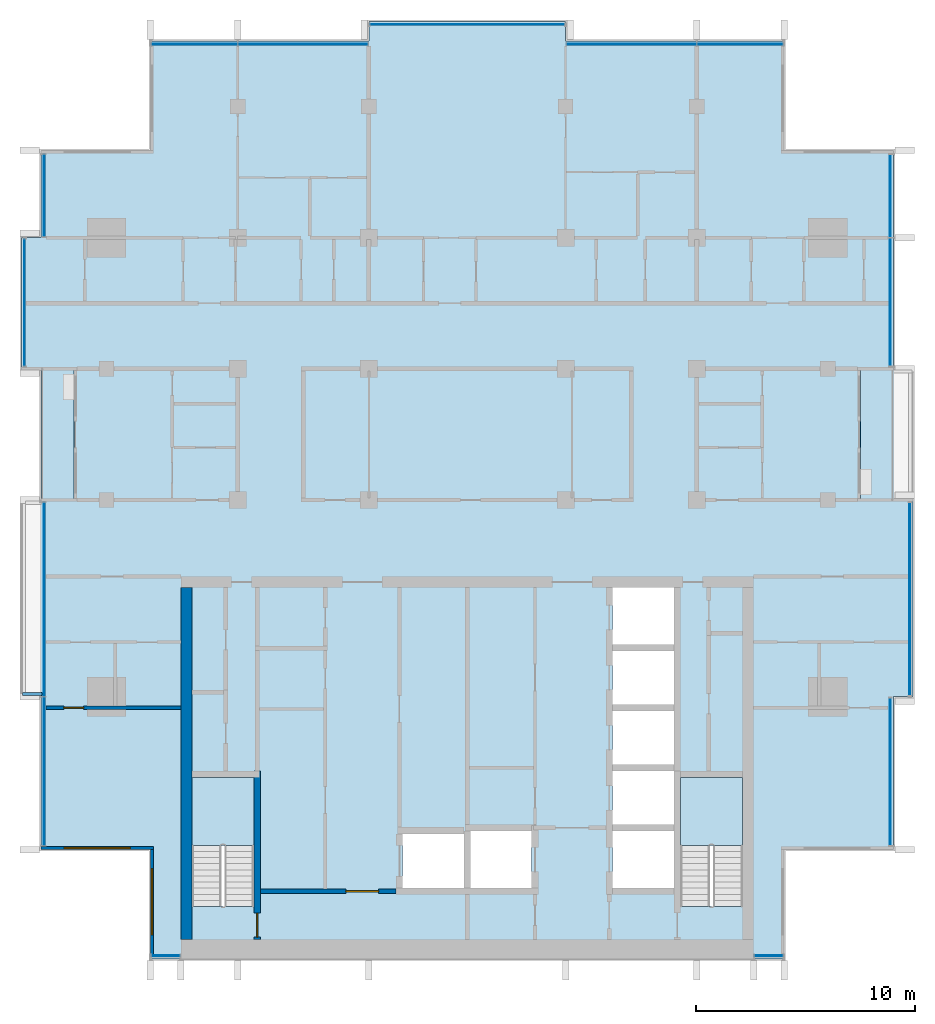
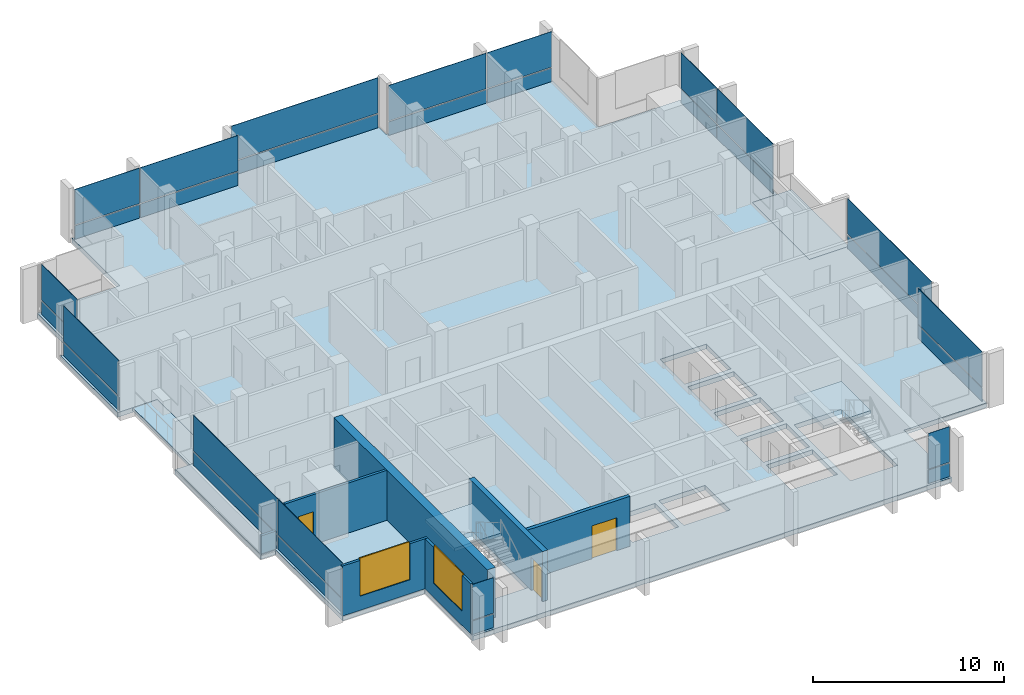
# One storey, part 6 of 16: 30 plates, 7 walls, 5 slabs, 3 doors, 2 windows, 5 openings, 13 elements without a shape of their own.
"""IFC4 building model written with IfcOpenShell, lengths in metres."""

from ifc_helpers import new_model, si_unit, direction, frame, frame_2d, origin, origin_2d, place, context, subcontext, project, spatial, polyline, rectangle, outline, extrude, material, layer, layer_set, type_object, element, fill, aggregate, save


model = new_model("IFC4")

# Units and contexts
model_context = context("Model", 3, precision=1e-05, world=origin(), true_north=direction((0.0, 1.0)))
body_context = subcontext(model_context, "Body", "Model", "MODEL_VIEW")
ifc_project = project(units=[si_unit("LENGTHUNIT", "METRE"), si_unit("AREAUNIT", "SQUARE_METRE"), si_unit("VOLUMEUNIT", "CUBIC_METRE"), si_unit("PLANEANGLEUNIT", "RADIAN"), si_unit("MASSUNIT", "GRAM", prefix="KILO")], contexts=[model_context])

# Site, building, storey
site_placement = place(None, origin())
site = spatial("IfcSite", under=ifc_project, at=site_placement, CompositionType="ELEMENT")
building_placement = place(site_placement, origin())
building = spatial("IfcBuilding", under=site, at=building_placement, Name="Finial Court Residences", CompositionType="ELEMENT")
storey_placement = place(building_placement, frame((0.0, 0.0, 295.10009765625)))
storey = spatial("IfcBuildingStorey", under=building, at=storey_placement, Name="L75", CompositionType="ELEMENT", Elevation=295.10009765625)

# Slabs
ifc_material_1 = material(Name="Concrete C35/45", Category="concrete")
ifc_layer_1 = layer(ifc_material_1, 0.199951171875)
ifc_layer_set_1 = layer_set([ifc_layer_1], Name="Balcony slab, Concrete C35/45 200")
slab_type_1 = type_object("IfcSlabType", Name="Balcony slab, Concrete C35/45 200", PredefinedType="FLOOR", material=ifc_layer_set_1)
slab_1_placement = place(storey_placement, frame((0.0, 0.0, -0.2001953125)))
element("IfcSlab", 1, at=slab_1_placement, inside=storey, type_object=slab_type_1, Name="Balcony L75-E3", PredefinedType="FLOOR", context=body_context, shape_type="SweptSolid", body=[
    extrude(outline(polyline([(18.0, 1.5), (19.5, 1.5), (20.39990234375, 1.5), (20.39990234375, -4.5), (19.5, -4.5), (18.0, -4.5), (18.0, 1.5)])), origin(), (0.0, 0.0, 1.0), 0.2001953125),
])
slab_2_placement = place(storey_placement, frame((0.0, 0.0, -0.2001953125)))
element("IfcSlab", 2, at=slab_2_placement, inside=storey, type_object=slab_type_1, Name="Balcony L75-W3", PredefinedType="FLOOR", context=body_context, shape_type="SweptSolid", body=[
    extrude(outline(polyline([(-18.0, -4.5), (-18.0, 1.5), (-19.5, 1.5), (-19.5, -4.5), (-18.0, -4.5)])), origin(), (0.0, 0.0, 1.0), 0.2001953125),
])

# Curtain wall, plates
ifc_material_2 = material(Name="Bronze anodised aluminium", Category="aluminium")
curtain_wall_type = type_object("IfcCurtainWallType", Name="Unitised curtain wall, upper zones", PredefinedType="NOTDEFINED", material=ifc_material_2)
curtain_wall_1_placement = place(storey_placement, origin())
curtain_wall_1 = element("IfcCurtainWall", 3, at=curtain_wall_1_placement, inside=storey, type_object=curtain_wall_type, Name="E-L75-CW-N1", PredefinedType="NOTDEFINED")
ifc_layer_2 = layer(ifc_material_2, 0.035888671875)
ifc_layer_set_2 = layer_set([ifc_layer_2], Name="CW2 spandrel panel 36")
plate_type_1 = type_object("IfcPlateType", Name="CW2 spandrel panel 36", PredefinedType="CURTAIN_PANEL", material=ifc_layer_set_2)
plate_1_placement = place(storey_placement, frame((-12.485107421875, 16.35009765625, -0.000244140625), z_axis=(0.0, 0.0, 1.0), x_axis=(1.0, 0.0, 0.0)))
plate_1 = element("IfcPlate", 4, at=plate_1_placement, type_object=plate_type_1, Name="CW2 spandrel 1.1", PredefinedType="CURTAIN_PANEL", context=body_context, shape_type="SweptSolid", body=[
    extrude(rectangle(XDim=3.909912109375, YDim=0.035888671875, at=origin_2d()), origin(), (0.0, 0.0, 1.0), 0.8701171875),
])
plate_2_placement = place(storey_placement, frame((-7.514892578125, 16.35009765625, -0.000244140625), z_axis=(0.0, 0.0, 1.0), x_axis=(1.0, 0.0, 0.0)))
plate_2 = element("IfcPlate", 5, at=plate_2_placement, type_object=plate_type_1, Name="CW2 spandrel 2.1", PredefinedType="CURTAIN_PANEL", context=body_context, shape_type="SweptSolid", body=[
    extrude(rectangle(XDim=5.909912109375, YDim=0.035888671875, at=origin_2d()), origin(), (0.0, 0.0, 1.0), 0.8701171875),
])

# Curtain wall, plate
curtain_wall_2_placement = place(storey_placement, origin())
curtain_wall_2 = element("IfcCurtainWall", 6, at=curtain_wall_2_placement, inside=storey, type_object=curtain_wall_type, Name="E-L75-CW-N2", PredefinedType="NOTDEFINED")
plate_3_placement = place(storey_placement, frame((0.0, 17.25, -0.000244140625), z_axis=(0.0, 0.0, 1.0), x_axis=(1.0, 0.0, 0.0)))
plate_3 = element("IfcPlate", 7, at=plate_3_placement, type_object=plate_type_1, Name="CW2 spandrel 1.1", PredefinedType="CURTAIN_PANEL", context=body_context, shape_type="SweptSolid", body=[
    extrude(rectangle(XDim=8.8798828125, YDim=0.035888671875, at=origin_2d()), origin(), (0.0, 0.0, 1.0), 0.8701171875),
])

# Curtain wall, plates
curtain_wall_3_placement = place(storey_placement, origin())
curtain_wall_3 = element("IfcCurtainWall", 8, at=curtain_wall_3_placement, inside=storey, type_object=curtain_wall_type, Name="E-L75-CW-N3", PredefinedType="NOTDEFINED")
plate_4_placement = place(storey_placement, frame((7.514892578125, 16.35009765625, -0.000244140625), z_axis=(0.0, 0.0, 1.0), x_axis=(1.0, 0.0, 0.0)))
plate_4 = element("IfcPlate", 9, at=plate_4_placement, type_object=plate_type_1, Name="CW2 spandrel 1.1", PredefinedType="CURTAIN_PANEL", context=body_context, shape_type="SweptSolid", body=[
    extrude(rectangle(XDim=5.909912109375, YDim=0.035888671875, at=origin_2d()), origin(), (0.0, 0.0, 1.0), 0.8701171875),
])
plate_5_placement = place(storey_placement, frame((12.485107421875, 16.35009765625, -0.000244140625), z_axis=(0.0, 0.0, 1.0), x_axis=(1.0, 0.0, 0.0)))
plate_5 = element("IfcPlate", 10, at=plate_5_placement, type_object=plate_type_1, Name="CW2 spandrel 2.1", PredefinedType="CURTAIN_PANEL", context=body_context, shape_type="SweptSolid", body=[
    extrude(rectangle(XDim=3.909912109375, YDim=0.035888671875, at=origin_2d()), origin(), (0.0, 0.0, 1.0), 0.8701171875),
])

# Curtain wall, plate
curtain_wall_4_placement = place(storey_placement, origin())
curtain_wall_4 = element("IfcCurtainWall", 11, at=curtain_wall_4_placement, inside=storey, type_object=curtain_wall_type, Name="E-L75-CW-E4", PredefinedType="NOTDEFINED")
plate_6_placement = place(storey_placement, frame((19.35009765625, -16.925048828125, -0.000244140625), z_axis=(0.0, 0.0, 1.0), x_axis=(0.0, 1.0, 0.0)))
plate_6 = element("IfcPlate", 12, at=plate_6_placement, type_object=plate_type_1, Name="CW2 spandrel 1.1", PredefinedType="CURTAIN_PANEL", context=body_context, shape_type="SweptSolid", body=[
    extrude(rectangle(XDim=6.72998046875, YDim=0.035888671875, at=origin_2d()), origin(), (0.0, 0.0, 1.0), 0.8701171875),
])

curtain_wall_5_placement = place(storey_placement, origin())
curtain_wall_5 = element("IfcCurtainWall", 13, at=curtain_wall_5_placement, inside=storey, type_object=curtain_wall_type, Name="E-L75-CW-E5", PredefinedType="NOTDEFINED")
plate_7_placement = place(storey_placement, frame((20.25, -9.03759765625, -0.000244140625), z_axis=(0.0, 0.0, 1.0), x_axis=(0.0, 1.0, 0.0)))
plate_7 = element("IfcPlate", 14, at=plate_7_placement, type_object=plate_type_1, Name="CW2 spandrel 1.1", PredefinedType="CURTAIN_PANEL", context=body_context, shape_type="SweptSolid", body=[
    extrude(rectangle(XDim=8.804931640625, YDim=0.035888671875, at=origin_2d()), origin(), (0.0, 0.0, 1.0), 0.8701171875),
])

# Curtain wall, plates
curtain_wall_6_placement = place(storey_placement, origin())
curtain_wall_6 = element("IfcCurtainWall", 15, at=curtain_wall_6_placement, inside=storey, type_object=curtain_wall_type, Name="E-L75-CW-E6", PredefinedType="NOTDEFINED")
plate_8_placement = place(storey_placement, frame((19.35009765625, 4.552490234375, -0.000244140625), z_axis=(0.0, 0.0, 1.0), x_axis=(0.0, 1.0, 0.0)))
plate_8 = element("IfcPlate", 16, at=plate_8_placement, type_object=plate_type_1, Name="CW2 spandrel 1.1", PredefinedType="CURTAIN_PANEL", context=body_context, shape_type="SweptSolid", body=[
    extrude(rectangle(XDim=5.8349609375, YDim=0.035888671875, at=origin_2d()), origin(), (0.0, 0.0, 1.0), 0.8701171875),
])
plate_9_placement = place(storey_placement, frame((19.35009765625, 9.409912109375, -0.000244140625), z_axis=(0.0, 0.0, 1.0), x_axis=(0.0, 1.0, 0.0)))
plate_9 = element("IfcPlate", 17, at=plate_9_placement, type_object=plate_type_1, Name="CW2 spandrel 2.1", PredefinedType="CURTAIN_PANEL", context=body_context, shape_type="SweptSolid", body=[
    extrude(rectangle(XDim=3.760009765625, YDim=0.035888671875, at=origin_2d()), origin(), (0.0, 0.0, 1.0), 0.8701171875),
])

# Curtain wall, plate
curtain_wall_7_placement = place(storey_placement, origin())
curtain_wall_7 = element("IfcCurtainWall", 18, at=curtain_wall_7_placement, inside=storey, type_object=curtain_wall_type, Name="E-L75-CW-S7", PredefinedType="NOTDEFINED")
plate_10_placement = place(storey_placement, frame((-13.800048828125, -25.35009765625, -0.000244140625), z_axis=(0.0, 0.0, 1.0), x_axis=(1.0, 0.0, 0.0)))
plate_10 = element("IfcPlate", 19, at=plate_10_placement, type_object=plate_type_1, Name="CW2 spandrel 1.1", PredefinedType="CURTAIN_PANEL", context=body_context, shape_type="SweptSolid", body=[
    extrude(rectangle(XDim=1.280029296875, YDim=0.035888671875, at=origin_2d()), origin(), (0.0, 0.0, 1.0), 0.8701171875),
])

curtain_wall_8_placement = place(storey_placement, origin())
curtain_wall_8 = element("IfcCurtainWall", 20, at=curtain_wall_8_placement, inside=storey, type_object=curtain_wall_type, Name="E-L75-CW-S8", PredefinedType="NOTDEFINED")
plate_11_placement = place(storey_placement, frame((13.800048828125, -25.35009765625, -0.000244140625), z_axis=(0.0, 0.0, 1.0), x_axis=(1.0, 0.0, 0.0)))
plate_11 = element("IfcPlate", 21, at=plate_11_placement, type_object=plate_type_1, Name="CW2 spandrel 1.1", PredefinedType="CURTAIN_PANEL", context=body_context, shape_type="SweptSolid", body=[
    extrude(rectangle(XDim=1.280029296875, YDim=0.035888671875, at=origin_2d()), origin(), (0.0, 0.0, 1.0), 0.8701171875),
])

# Curtain wall, plates
curtain_wall_9_placement = place(storey_placement, origin())
curtain_wall_9 = element("IfcCurtainWall", 22, at=curtain_wall_9_placement, inside=storey, type_object=curtain_wall_type, Name="E-L75-CW-W9", PredefinedType="NOTDEFINED")
plate_12_placement = place(storey_placement, frame((-19.35009765625, -16.909912109375, -0.000244140625), z_axis=(0.0, 0.0, 1.0), x_axis=(0.0, 1.0, 0.0)))
plate_12 = element("IfcPlate", 23, at=plate_12_placement, type_object=plate_type_1, Name="CW2 spandrel 1.1", PredefinedType="CURTAIN_PANEL", context=body_context, shape_type="SweptSolid", body=[
    extrude(rectangle(XDim=6.760009765625, YDim=0.035888671875, at=origin_2d()), origin(), (0.0, 0.0, 1.0), 0.8701171875),
])
plate_13_placement = place(storey_placement, frame((-19.35009765625, -9.052490234375, -0.000244140625), z_axis=(0.0, 0.0, 1.0), x_axis=(0.0, 1.0, 0.0)))
plate_13 = element("IfcPlate", 24, at=plate_13_placement, type_object=plate_type_1, Name="CW2 spandrel 2.1", PredefinedType="CURTAIN_PANEL", context=body_context, shape_type="SweptSolid", body=[
    extrude(rectangle(XDim=8.8349609375, YDim=0.035888671875, at=origin_2d()), origin(), (0.0, 0.0, 1.0), 0.8701171875),
])

# Curtain wall, plate
curtain_wall_10_placement = place(storey_placement, origin())
curtain_wall_10 = element("IfcCurtainWall", 25, at=curtain_wall_10_placement, inside=storey, type_object=curtain_wall_type, Name="E-L75-CW-W10", PredefinedType="NOTDEFINED")
plate_14_placement = place(storey_placement, frame((-20.25, 4.53759765625, -0.000244140625), z_axis=(0.0, 0.0, 1.0), x_axis=(0.0, 1.0, 0.0)))
plate_14 = element("IfcPlate", 26, at=plate_14_placement, type_object=plate_type_1, Name="CW2 spandrel 1.1", PredefinedType="CURTAIN_PANEL", context=body_context, shape_type="SweptSolid", body=[
    extrude(rectangle(XDim=5.804931640625, YDim=0.035888671875, at=origin_2d()), origin(), (0.0, 0.0, 1.0), 0.8701171875),
])

curtain_wall_11_placement = place(storey_placement, origin())
curtain_wall_11 = element("IfcCurtainWall", 27, at=curtain_wall_11_placement, inside=storey, type_object=curtain_wall_type, Name="E-L75-CW-W11", PredefinedType="NOTDEFINED")
plate_15_placement = place(storey_placement, frame((-19.35009765625, 9.425048828125, -0.000244140625), z_axis=(0.0, 0.0, 1.0), x_axis=(0.0, 1.0, 0.0)))
plate_15 = element("IfcPlate", 28, at=plate_15_placement, type_object=plate_type_1, Name="CW2 spandrel 1.1", PredefinedType="CURTAIN_PANEL", context=body_context, shape_type="SweptSolid", body=[
    extrude(rectangle(XDim=3.72998046875, YDim=0.035888671875, at=origin_2d()), origin(), (0.0, 0.0, 1.0), 0.8701171875),
])

# Plate
ifc_material_3 = material(Name="Clear low-e glass", Category="glass")
ifc_layer_3 = layer(ifc_material_3, 0.030029296875)
ifc_layer_set_3 = layer_set([ifc_layer_3], Name="CW2 vision glass 30")
plate_type_2 = type_object("IfcPlateType", Name="CW2 vision glass 30", PredefinedType="CURTAIN_PANEL", material=ifc_layer_set_3)
plate_16_placement = place(storey_placement, frame((-12.485107421875, 16.35009765625, 0.929931640625), z_axis=(0.0, 0.0, 1.0), x_axis=(1.0, 0.0, 0.0)))
plate_16 = element("IfcPlate", 29, at=plate_16_placement, type_object=plate_type_2, Name="CW2 glass 1.2", PredefinedType="CURTAIN_PANEL", context=body_context, shape_type="SweptSolid", body=[
    extrude(rectangle(XDim=3.909912109375, YDim=0.030029296875, at=origin_2d()), origin(), (0.0, 0.0, 1.0), 2.27001953125),
])

plate_17_placement = place(storey_placement, frame((-7.514892578125, 16.35009765625, 0.929931640625), z_axis=(0.0, 0.0, 1.0), x_axis=(1.0, 0.0, 0.0)))
plate_17 = element("IfcPlate", 30, at=plate_17_placement, type_object=plate_type_2, Name="CW2 glass 2.2", PredefinedType="CURTAIN_PANEL", context=body_context, shape_type="SweptSolid", body=[
    extrude(rectangle(XDim=5.909912109375, YDim=0.030029296875, at=origin_2d()), origin(), (0.0, 0.0, 1.0), 2.27001953125),
])

aggregate(curtain_wall_1, [plate_1, plate_16, plate_2, plate_17])

plate_18_placement = place(storey_placement, frame((0.0, 17.25, 0.929931640625), z_axis=(0.0, 0.0, 1.0), x_axis=(1.0, 0.0, 0.0)))
plate_18 = element("IfcPlate", 31, at=plate_18_placement, type_object=plate_type_2, Name="CW2 glass 1.2", PredefinedType="CURTAIN_PANEL", context=body_context, shape_type="SweptSolid", body=[
    extrude(rectangle(XDim=8.8798828125, YDim=0.030029296875, at=origin_2d()), origin(), (0.0, 0.0, 1.0), 2.27001953125),
])

aggregate(curtain_wall_2, [plate_3, plate_18])

plate_19_placement = place(storey_placement, frame((7.514892578125, 16.35009765625, 0.929931640625), z_axis=(0.0, 0.0, 1.0), x_axis=(1.0, 0.0, 0.0)))
plate_19 = element("IfcPlate", 32, at=plate_19_placement, type_object=plate_type_2, Name="CW2 glass 1.2", PredefinedType="CURTAIN_PANEL", context=body_context, shape_type="SweptSolid", body=[
    extrude(rectangle(XDim=5.909912109375, YDim=0.030029296875, at=origin_2d()), origin(), (0.0, 0.0, 1.0), 2.27001953125),
])

plate_20_placement = place(storey_placement, frame((12.485107421875, 16.35009765625, 0.929931640625), z_axis=(0.0, 0.0, 1.0), x_axis=(1.0, 0.0, 0.0)))
plate_20 = element("IfcPlate", 33, at=plate_20_placement, type_object=plate_type_2, Name="CW2 glass 2.2", PredefinedType="CURTAIN_PANEL", context=body_context, shape_type="SweptSolid", body=[
    extrude(rectangle(XDim=3.909912109375, YDim=0.030029296875, at=origin_2d()), origin(), (0.0, 0.0, 1.0), 2.27001953125),
])

aggregate(curtain_wall_3, [plate_4, plate_19, plate_5, plate_20])

plate_21_placement = place(storey_placement, frame((19.35009765625, -16.925048828125, 0.929931640625), z_axis=(0.0, 0.0, 1.0), x_axis=(0.0, 1.0, 0.0)))
plate_21 = element("IfcPlate", 34, at=plate_21_placement, type_object=plate_type_2, Name="CW2 glass 1.2", PredefinedType="CURTAIN_PANEL", context=body_context, shape_type="SweptSolid", body=[
    extrude(rectangle(XDim=6.72998046875, YDim=0.030029296875, at=origin_2d()), origin(), (0.0, 0.0, 1.0), 2.27001953125),
])

aggregate(curtain_wall_4, [plate_6, plate_21])

plate_22_placement = place(storey_placement, frame((20.25, -9.03759765625, 0.929931640625), z_axis=(0.0, 0.0, 1.0), x_axis=(0.0, 1.0, 0.0)))
plate_22 = element("IfcPlate", 35, at=plate_22_placement, type_object=plate_type_2, Name="CW2 glass 1.2", PredefinedType="CURTAIN_PANEL", context=body_context, shape_type="SweptSolid", body=[
    extrude(rectangle(XDim=8.804931640625, YDim=0.030029296875, at=origin_2d()), origin(), (0.0, 0.0, 1.0), 2.27001953125),
])

aggregate(curtain_wall_5, [plate_7, plate_22])

plate_23_placement = place(storey_placement, frame((19.35009765625, 4.552490234375, 0.929931640625), z_axis=(0.0, 0.0, 1.0), x_axis=(0.0, 1.0, 0.0)))
plate_23 = element("IfcPlate", 36, at=plate_23_placement, type_object=plate_type_2, Name="CW2 glass 1.2", PredefinedType="CURTAIN_PANEL", context=body_context, shape_type="SweptSolid", body=[
    extrude(rectangle(XDim=5.8349609375, YDim=0.030029296875, at=origin_2d()), origin(), (0.0, 0.0, 1.0), 2.27001953125),
])

plate_24_placement = place(storey_placement, frame((19.35009765625, 9.409912109375, 0.929931640625), z_axis=(0.0, 0.0, 1.0), x_axis=(0.0, 1.0, 0.0)))
plate_24 = element("IfcPlate", 37, at=plate_24_placement, type_object=plate_type_2, Name="CW2 glass 2.2", PredefinedType="CURTAIN_PANEL", context=body_context, shape_type="SweptSolid", body=[
    extrude(rectangle(XDim=3.760009765625, YDim=0.030029296875, at=origin_2d()), origin(), (0.0, 0.0, 1.0), 2.27001953125),
])

aggregate(curtain_wall_6, [plate_8, plate_23, plate_9, plate_24])

plate_25_placement = place(storey_placement, frame((-13.800048828125, -25.35009765625, 0.929931640625), z_axis=(0.0, 0.0, 1.0), x_axis=(1.0, 0.0, 0.0)))
plate_25 = element("IfcPlate", 38, at=plate_25_placement, type_object=plate_type_2, Name="CW2 glass 1.2", PredefinedType="CURTAIN_PANEL", context=body_context, shape_type="SweptSolid", body=[
    extrude(rectangle(XDim=1.280029296875, YDim=0.030029296875, at=origin_2d()), origin(), (0.0, 0.0, 1.0), 2.27001953125),
])

aggregate(curtain_wall_7, [plate_10, plate_25])

plate_26_placement = place(storey_placement, frame((13.800048828125, -25.35009765625, 0.929931640625), z_axis=(0.0, 0.0, 1.0), x_axis=(1.0, 0.0, 0.0)))
plate_26 = element("IfcPlate", 39, at=plate_26_placement, type_object=plate_type_2, Name="CW2 glass 1.2", PredefinedType="CURTAIN_PANEL", context=body_context, shape_type="SweptSolid", body=[
    extrude(rectangle(XDim=1.280029296875, YDim=0.030029296875, at=origin_2d()), origin(), (0.0, 0.0, 1.0), 2.27001953125),
])

aggregate(curtain_wall_8, [plate_11, plate_26])

plate_27_placement = place(storey_placement, frame((-19.35009765625, -16.909912109375, 0.929931640625), z_axis=(0.0, 0.0, 1.0), x_axis=(0.0, 1.0, 0.0)))
plate_27 = element("IfcPlate", 40, at=plate_27_placement, type_object=plate_type_2, Name="CW2 glass 1.2", PredefinedType="CURTAIN_PANEL", context=body_context, shape_type="SweptSolid", body=[
    extrude(rectangle(XDim=6.760009765625, YDim=0.030029296875, at=origin_2d()), origin(), (0.0, 0.0, 1.0), 2.27001953125),
])

plate_28_placement = place(storey_placement, frame((-19.35009765625, -9.052490234375, 0.929931640625), z_axis=(0.0, 0.0, 1.0), x_axis=(0.0, 1.0, 0.0)))
plate_28 = element("IfcPlate", 41, at=plate_28_placement, type_object=plate_type_2, Name="CW2 glass 2.2", PredefinedType="CURTAIN_PANEL", context=body_context, shape_type="SweptSolid", body=[
    extrude(rectangle(XDim=8.8349609375, YDim=0.030029296875, at=origin_2d()), origin(), (0.0, 0.0, 1.0), 2.27001953125),
])

aggregate(curtain_wall_9, [plate_12, plate_27, plate_13, plate_28])

plate_29_placement = place(storey_placement, frame((-20.25, 4.53759765625, 0.929931640625), z_axis=(0.0, 0.0, 1.0), x_axis=(0.0, 1.0, 0.0)))
plate_29 = element("IfcPlate", 42, at=plate_29_placement, type_object=plate_type_2, Name="CW2 glass 1.2", PredefinedType="CURTAIN_PANEL", context=body_context, shape_type="SweptSolid", body=[
    extrude(rectangle(XDim=5.804931640625, YDim=0.030029296875, at=origin_2d()), origin(), (0.0, 0.0, 1.0), 2.27001953125),
])

aggregate(curtain_wall_10, [plate_14, plate_29])

plate_30_placement = place(storey_placement, frame((-19.35009765625, 9.425048828125, 0.929931640625), z_axis=(0.0, 0.0, 1.0), x_axis=(0.0, 1.0, 0.0)))
plate_30 = element("IfcPlate", 43, at=plate_30_placement, type_object=plate_type_2, Name="CW2 glass 1.2", PredefinedType="CURTAIN_PANEL", context=body_context, shape_type="SweptSolid", body=[
    extrude(rectangle(XDim=3.72998046875, YDim=0.030029296875, at=origin_2d()), origin(), (0.0, 0.0, 1.0), 2.27001953125),
])

aggregate(curtain_wall_11, [plate_15, plate_30])

# Stair, slab
ifc_material_4 = material(Name="Concrete C50/60", Category="concrete")
stair_type = type_object("IfcStairType", Name="Exit stair 22 risers of 163.6 mm", PredefinedType="HALF_TURN_STAIR", material=ifc_material_4)
stair_1_placement = place(storey_placement, origin())
stair_1 = element("IfcStair", 44, at=stair_1_placement, inside=storey, type_object=stair_type, Name="L75 Exit stair ST-1", PredefinedType="HALF_TURN_STAIR")
ifc_layer_4 = layer(ifc_material_4, 0.199951171875)
ifc_layer_set_4 = layer_set([ifc_layer_4], Name="Exit stair landing")
slab_type_2 = type_object("IfcSlabType", Name="Exit stair landing", PredefinedType="LANDING", material=ifc_layer_set_4)
slab_3_placement = place(storey_placement, frame((0.0, 0.0, 1.599853515625)))
slab_3 = element("IfcSlab", 45, at=slab_3_placement, type_object=slab_type_2, Name="ST-1 landing 1", PredefinedType="LANDING", context=body_context, shape_type="SweptSolid", body=[
    extrude(outline(polyline([(-9.75, -20.300048828125), (-9.75, -17.199951171875), (-12.60009765625, -17.199951171875), (-12.60009765625, -20.300048828125), (-9.75, -20.300048828125)])), origin(), (0.0, 0.0, 1.0), 0.199951171875),
])
aggregate(stair_1, [slab_3])

stair_2_placement = place(storey_placement, origin())
stair_2 = element("IfcStair", 46, at=stair_2_placement, inside=storey, type_object=stair_type, Name="L75 Exit stair ST-2", PredefinedType="HALF_TURN_STAIR")
slab_4_placement = place(storey_placement, frame((0.0, 0.0, 1.599853515625)))
slab_4 = element("IfcSlab", 47, at=slab_4_placement, type_object=slab_type_2, Name="ST-2 landing 1", PredefinedType="LANDING", context=body_context, shape_type="SweptSolid", body=[
    extrude(outline(polyline([(12.60009765625, -20.300048828125), (12.60009765625, -17.199951171875), (9.75, -17.199951171875), (9.75, -20.300048828125), (12.60009765625, -20.300048828125)])), origin(), (0.0, 0.0, 1.0), 0.199951171875),
])
aggregate(stair_2, [slab_4])

# Slab
ifc_material_5 = material(Name="Concrete C40/50", Category="concrete")
ifc_layer_5 = layer(ifc_material_5, 0.300048828125)
ifc_layer_set_5 = layer_set([ifc_layer_5], Name="Flat plate slab 300 Concrete C40/50")
slab_type_3 = type_object("IfcSlabType", Name="Flat plate slab 300 Concrete C40/50", PredefinedType="FLOOR", material=ifc_layer_set_5)
slab_5_placement = place(storey_placement, frame((0.0, 0.0, -0.300048828125)))
element("IfcSlab", 48, at=slab_5_placement, inside=storey, type_object=slab_type_3, Name="S:SLAB:L75", PredefinedType="FLOOR", context=body_context, shape_type="SweptSolid", body=[
    extrude(outline(polyline([(-20.39990234375, -13.5), (-20.39990234375, -4.5), (-19.5, -4.5), (-18.0, -4.5), (-18.0, 1.5), (-19.5, 1.5), (-20.39990234375, 1.5), (-20.39990234375, 7.5), (-19.5, 7.5), (-19.5, 11.5), (-14.5, 11.5), (-14.5, 16.5), (-4.5, 16.5), (-4.5, 17.39990234375), (4.5, 17.39990234375), (4.5, 16.5), (14.5, 16.5), (14.5, 11.5), (19.5, 11.5), (19.5, 1.5), (18.0, 1.5), (18.0, -4.5), (19.5, -4.5), (20.39990234375, -4.5), (20.39990234375, -13.5), (19.5, -13.5), (19.5, -20.5), (14.5, -20.5), (14.5, -25.5), (-14.5, -25.5), (-14.5, -20.5), (-19.5, -20.5), (-19.5, -13.5), (-20.39990234375, -13.5)]), holes=[polyline([(-0.14990234375, -19.77001953125), (-2.949951171875, -19.77001953125), (-2.949951171875, -22.25), (-0.14990234375, -22.25), (-0.14990234375, -19.77001953125)]), polyline([(2.949951171875, -19.64990234375), (0.14990234375, -19.64990234375), (0.14990234375, -22.25), (2.949951171875, -22.25), (2.949951171875, -19.64990234375)]), polyline([(9.449951171875, -19.64990234375), (6.64990234375, -19.64990234375), (6.64990234375, -22.25), (9.449951171875, -22.25), (9.449951171875, -19.64990234375)]), polyline([(-12.60009765625, -17.199951171875), (-12.60009765625, -23.09912109375), (-9.75, -23.09912109375), (-9.75, -17.199951171875), (-12.60009765625, -17.199951171875)]), polyline([(9.75, -17.199951171875), (9.75, -23.09912109375), (12.60009765625, -23.09912109375), (12.60009765625, -17.199951171875), (9.75, -17.199951171875)]), polyline([(9.449951171875, -16.89990234375), (6.64990234375, -16.89990234375), (6.64990234375, -19.35009765625), (9.449951171875, -19.35009765625), (9.449951171875, -16.89990234375)]), polyline([(9.449951171875, -14.14990234375), (6.64990234375, -14.14990234375), (6.64990234375, -16.60009765625), (9.449951171875, -16.60009765625), (9.449951171875, -14.14990234375)]), polyline([(9.449951171875, -13.85009765625), (9.449951171875, -11.39990234375), (6.64990234375, -11.39990234375), (6.64990234375, -13.85009765625), (9.449951171875, -13.85009765625)]), polyline([(9.449951171875, -11.10009765625), (9.449951171875, -8.5), (6.64990234375, -8.5), (6.64990234375, -11.10009765625), (9.449951171875, -11.10009765625)])]), origin(), (0.0, 0.0, 1.0), 0.300048828125),
])

# Wall
ifc_layer_6 = layer(ifc_material_4, 0.5)
ifc_layer_set_6 = layer_set([ifc_layer_6], Name="Core outer wall 500 Concrete C50/60")
wall_type_1 = type_object("IfcWallType", Name="Core outer wall 500 Concrete C50/60", PredefinedType="SHEAR", material=ifc_layer_set_6)
wall_1_placement = place(storey_placement, frame((-12.85009765625, -24.60009765625, 0.0), z_axis=(0.0, 0.0, 1.0), x_axis=(0.0, 1.0, 0.0)))
element("IfcWall", 49, at=wall_1_placement, inside=storey, type_object=wall_type_1, Name="Core outer wall L75-03", PredefinedType="SHEAR", context=body_context, shape_type="SweptSolid", body=[
    extrude(rectangle(XDim=16.10009765625, YDim=0.5, at=frame_2d((8.050048828125, 0.0))), origin(), (0.0, 0.0, 1.0), 3.199951171875),
])

# Wall, opening, door
ifc_material_6 = material(Name="Moisture-resistant gypsum board")
ifc_layer_7 = layer(ifc_material_6, 0.012451171875)
ifc_material_7 = material(Name="Mineral wool in light-gauge frame")
ifc_layer_8 = layer(ifc_material_7, 0.125)
ifc_layer_9 = layer(ifc_material_6, 0.012451171875)
ifc_layer_set_7 = layer_set([ifc_layer_7, ifc_layer_8, ifc_layer_9], Name="Gypsum board wet-area partition 150")
wall_type_2 = type_object("IfcWallType", Name="Gypsum board wet-area partition 150", PredefinedType="PARTITIONING", material=ifc_layer_set_7)
wall_2_placement = place(storey_placement, frame((-19.262451171875, -14.0, 0.0), z_axis=(0.0, 0.0, 1.0), x_axis=(1.0, 0.0, 0.0)))
wall_2 = element("IfcWall", 50, at=wall_2_placement, inside=storey, type_object=wall_type_2, Name="Partition L75-000", PredefinedType="PARTITIONING", context=body_context, shape_type="SweptSolid", body=[
    extrude(rectangle(XDim=6.162353515625, YDim=0.14990234375, at=frame_2d((3.0810546875, 0.0))), origin(), (0.0, 0.0, 1.0), 3.199951171875),
])
opening_1_placement = place(wall_2_placement, frame((0.81201171875, 0.0, 0.0)))
opening_1 = element("IfcOpeningElement", 51, at=opening_1_placement, cuts=wall_2, Name="Opening L75-D001", PredefinedType="OPENING", context=body_context, shape_type="SweptSolid", body=[
    extrude(rectangle(XDim=0.89990234375, YDim=2.10009765625, at=frame_2d((0.449951171875, 1.050048828125))), frame((0.0, 0.0849609375, 0.0), z_axis=(0.0, -1.0, 0.0), x_axis=(1.0, 0.0, 0.0)), (0.0, 0.0, 1.0), 0.169921875),
])
ifc_material_8 = material(Name="Timber door leaf in timber frame", Category="wood")
door_type_1 = type_object("IfcDoorType", Name="Door set 900 x 2100", OperationType="SINGLE_SWING_LEFT", PredefinedType="DOOR", material=ifc_material_8)
door_1_placement = place(opening_1_placement, origin())
door_1 = element("IfcDoor", 52, at=door_1_placement, inside=storey, type_object=door_type_1, Name="Door L75-D001", OperationType="SINGLE_SWING_LEFT", OverallHeight=2.10009765625, OverallWidth=0.89990234375, PredefinedType="DOOR", context=body_context, shape_type="SweptSolid", body=[
    extrude(rectangle(XDim=0.89990234375, YDim=2.10009765625, at=frame_2d((0.449951171875, 1.050048828125))), frame((0.0, 0.02490234375, 0.0), z_axis=(0.0, -1.0, 0.0), x_axis=(1.0, 0.0, 0.0)), (0.0, 0.0, 1.0), 0.050048828125),
])
fill(opening_1, door_1)

# Wall
ifc_layer_10 = layer(ifc_material_1, 0.14990234375)
ifc_layer_set_8 = layer_set([ifc_layer_10], Name="Ledge parapet, Concrete C35/45 150")
wall_type_3 = type_object("IfcWallType", Name="Ledge parapet, Concrete C35/45 150", PredefinedType="PARAPET", material=ifc_layer_set_8)
wall_3_placement = place(storey_placement, frame((-19.447509765625, -13.375, 0.0), z_axis=(0.0, 0.0, 1.0), x_axis=(-1.0, 0.0, 0.0)))
element("IfcWall", 53, at=wall_3_placement, inside=storey, type_object=wall_type_3, Name="E-L75-LED2-P1", PredefinedType="PARAPET", context=body_context, shape_type="SweptSolid", body=[
    extrude(rectangle(XDim=0.902587890625, YDim=0.14990234375, at=frame_2d((0.451171875, 0.0))), origin(), (0.0, 0.0, 1.0), 1.14990234375),
])

# Wall, opening, door
ifc_layer_11 = layer(ifc_material_4, 0.300048828125)
ifc_layer_set_9 = layer_set([ifc_layer_11], Name="Lift shaft and stair wall 300 Concrete C50/60")
wall_type_4 = type_object("IfcWallType", Name="Lift shaft and stair wall 300 Concrete C50/60", PredefinedType="SHEAR", material=ifc_layer_set_9)
wall_4_placement = place(storey_placement, frame((-9.60009765625, -24.60009765625, 0.0), z_axis=(0.0, 0.0, 1.0), x_axis=(0.0, 1.0, 0.0)))
wall_4 = element("IfcWall", 54, at=wall_4_placement, inside=storey, type_object=wall_type_4, Name="Core wall L75-20", PredefinedType="SHEAR", context=body_context, shape_type="SweptSolid", body=[
    extrude(rectangle(XDim=7.7001953125, YDim=0.300048828125, at=frame_2d((3.85009765625, 0.0))), origin(), (0.0, 0.0, 1.0), 3.199951171875),
])
opening_2_placement = place(wall_4_placement, frame((0.10009765625, 0.0, 0.0)))
opening_2 = element("IfcOpeningElement", 55, at=opening_2_placement, cuts=wall_4, Name="Opening L75-C19", PredefinedType="OPENING", context=body_context, shape_type="SweptSolid", body=[
    extrude(rectangle(XDim=1.10009765625, YDim=2.10009765625, at=frame_2d((0.550048828125, 1.050048828125))), frame((0.0, 0.159912109375, 0.0), z_axis=(0.0, -1.0, 0.0), x_axis=(1.0, 0.0, 0.0)), (0.0, 0.0, 1.0), 0.320068359375),
])
ifc_material_9 = material(Name="Steel fire door", Category="steel")
door_type_2 = type_object("IfcDoorType", Name="Stair door 1100 x 2100 EI 90", OperationType="NOTDEFINED", PredefinedType="DOOR", material=ifc_material_9)
door_2_placement = place(opening_2_placement, origin())
door_2 = element("IfcDoor", 56, at=door_2_placement, inside=storey, type_object=door_type_2, Name="Stair door L75-C19", OperationType="SINGLE_SWING_LEFT", OverallHeight=2.10009765625, OverallWidth=1.10009765625, PredefinedType="DOOR", context=body_context, shape_type="SweptSolid", body=[
    extrude(rectangle(XDim=1.10009765625, YDim=2.10009765625, at=frame_2d((0.550048828125, 1.050048828125))), frame((0.0, 0.02490234375, 0.0), z_axis=(0.0, -1.0, 0.0), x_axis=(1.0, 0.0, 0.0)), (0.0, 0.0, 1.0), 0.050048828125),
])
fill(opening_2, door_2)

# Wall, opening, window
ifc_material_10 = material(Name="Natural limestone", Category="masonry")
ifc_layer_12 = layer(ifc_material_10, 0.14990234375)
ifc_layer_set_10 = layer_set([ifc_layer_12], Name="Limestone clad wall 150")
wall_type_5 = type_object("IfcWallType", Name="Limestone clad wall 150", PredefinedType="SOLIDWALL", material=ifc_layer_set_10)
wall_5_placement = place(storey_placement, frame((-14.425048828125, -25.262451171875, 0.0), z_axis=(0.0, 0.0, 1.0), x_axis=(0.0, 1.0, 0.0)))
wall_5 = element("IfcWall", 57, at=wall_5_placement, inside=storey, type_object=wall_type_5, Name="E-L75-NWW12", PredefinedType="SOLIDWALL", context=body_context, shape_type="SweptSolid", body=[
    extrude(rectangle(XDim=4.762451171875, YDim=0.14990234375, at=frame_2d((2.38134765625, 0.0))), origin(), (0.0, 0.0, 1.0), 3.199951171875),
])
opening_3_placement = place(wall_5_placement, frame((0.881103515625, 0.0, 0.89990234375)))
opening_3 = element("IfcOpeningElement", 58, at=opening_3_placement, cuts=wall_5, Name="Opening WE75-01", PredefinedType="OPENING", context=body_context, shape_type="SweptSolid", body=[
    extrude(rectangle(XDim=3.0, YDim=2.39990234375, at=frame_2d((1.5, 1.199951171875))), frame((0.0, 0.0849609375, 0.0), z_axis=(0.0, -1.0, 0.0), x_axis=(1.0, 0.0, 0.0)), (0.0, 0.0, 1.0), 0.169921875),
])
window_type = type_object("IfcWindowType", Name="Corner window 3000 x 2400", PartitioningType="SINGLE_PANEL", PredefinedType="WINDOW", material=ifc_material_3)
window_1_placement = place(opening_3_placement, origin())
window_1 = element("IfcWindow", 59, at=window_1_placement, inside=storey, type_object=window_type, Name="E-L75-NWW12-W1", OverallHeight=2.39990234375, OverallWidth=3.0, PartitioningType="SINGLE_PANEL", PredefinedType="WINDOW", context=body_context, shape_type="SweptSolid", body=[
    extrude(rectangle(XDim=3.0, YDim=2.39990234375, at=frame_2d((1.5, 1.199951171875))), frame((0.0, 0.030029296875, 0.0), z_axis=(0.0, -1.0, 0.0), x_axis=(1.0, 0.0, 0.0)), (0.0, 0.0, 1.0), 0.06005859375),
])
fill(opening_3, window_1)

wall_6_placement = place(storey_placement, frame((-14.35009765625, -20.425048828125, 0.0), z_axis=(0.0, 0.0, 1.0), x_axis=(-1.0, 0.0, 0.0)))
wall_6 = element("IfcWall", 60, at=wall_6_placement, inside=storey, type_object=wall_type_5, Name="E-L75-NWS13", PredefinedType="SOLIDWALL", context=body_context, shape_type="SweptSolid", body=[
    extrude(rectangle(XDim=5.14990234375, YDim=0.14990234375, at=frame_2d((2.574951171875, 0.0))), origin(), (0.0, 0.0, 1.0), 3.199951171875),
])
opening_4_placement = place(wall_6_placement, frame((1.074951171875, 0.0, 0.89990234375)))
opening_4 = element("IfcOpeningElement", 61, at=opening_4_placement, cuts=wall_6, Name="Opening WE75-02", PredefinedType="OPENING", context=body_context, shape_type="SweptSolid", body=[
    extrude(rectangle(XDim=3.0, YDim=2.39990234375, at=frame_2d((1.5, 1.199951171875))), frame((0.0, 0.0849609375, 0.0), z_axis=(0.0, -1.0, 0.0), x_axis=(1.0, 0.0, 0.0)), (0.0, 0.0, 1.0), 0.169921875),
])
window_2_placement = place(opening_4_placement, origin())
window_2 = element("IfcWindow", 62, at=window_2_placement, inside=storey, type_object=window_type, Name="E-L75-NWS13-W1", OverallHeight=2.39990234375, OverallWidth=3.0, PartitioningType="SINGLE_PANEL", PredefinedType="WINDOW", context=body_context, shape_type="SweptSolid", body=[
    extrude(rectangle(XDim=3.0, YDim=2.39990234375, at=frame_2d((1.5, 1.199951171875))), frame((0.0, 0.030029296875, 0.0), z_axis=(0.0, -1.0, 0.0), x_axis=(1.0, 0.0, 0.0)), (0.0, 0.0, 1.0), 0.06005859375),
])
fill(opening_4, window_2)

# Wall, opening, door
ifc_material_11 = material(Name="Fire-rated gypsum board partition")
ifc_layer_13 = layer(ifc_material_11, 0.199951171875)
ifc_layer_set_11 = layer_set([ifc_layer_13], Name="Stair passage wall 200 EI 180")
wall_type_6 = type_object("IfcWallType", Name="Stair passage wall 200 EI 180", PredefinedType="PARTITIONING", material=ifc_layer_set_11)
wall_7_placement = place(storey_placement, frame((-3.25, -22.39990234375, 0.0), z_axis=(0.0, 0.0, 1.0), x_axis=(-1.0, 0.0, 0.0)))
wall_7 = element("IfcWall", 63, at=wall_7_placement, inside=storey, type_object=wall_type_6, Name="Core partition L75-01", PredefinedType="PARTITIONING", context=body_context, shape_type="SweptSolid", body=[
    extrude(rectangle(XDim=6.199951171875, YDim=0.199951171875, at=frame_2d((3.10009765625, 0.0))), origin(), (0.0, 0.0, 1.0), 3.199951171875),
])
opening_5_placement = place(wall_7_placement, frame((0.800048828125, 0.0, 0.0)))
opening_5 = element("IfcOpeningElement", 64, at=opening_5_placement, cuts=wall_7, Name="Opening L75-C03", PredefinedType="OPENING", context=body_context, shape_type="SweptSolid", body=[
    extrude(rectangle(XDim=1.5, YDim=2.10009765625, at=frame_2d((0.75, 1.050048828125))), frame((0.0, 0.10986328125, 0.0), z_axis=(0.0, -1.0, 0.0), x_axis=(1.0, 0.0, 0.0)), (0.0, 0.0, 1.0), 0.219970703125),
])
door_type_3 = type_object("IfcDoorType", Name="Lift lobby door 1500 x 2100 EI 60", OperationType="DOUBLE_DOOR_SINGLE_SWING", PredefinedType="DOOR", material=ifc_material_9)
door_3_placement = place(opening_5_placement, origin())
door_3 = element("IfcDoor", 65, at=door_3_placement, inside=storey, type_object=door_type_3, Name="Lift lobby door L75-C03", OperationType="DOUBLE_DOOR_SINGLE_SWING", OverallHeight=2.10009765625, OverallWidth=1.5, PredefinedType="DOOR", context=body_context, shape_type="SweptSolid", body=[
    extrude(rectangle(XDim=1.5, YDim=2.10009765625, at=frame_2d((0.75, 1.050048828125))), frame((0.0, 0.02490234375, 0.0), z_axis=(0.0, -1.0, 0.0), x_axis=(1.0, 0.0, 0.0)), (0.0, 0.0, 1.0), 0.050048828125),
])
fill(opening_5, door_3)

save(model, "model.ifc")
